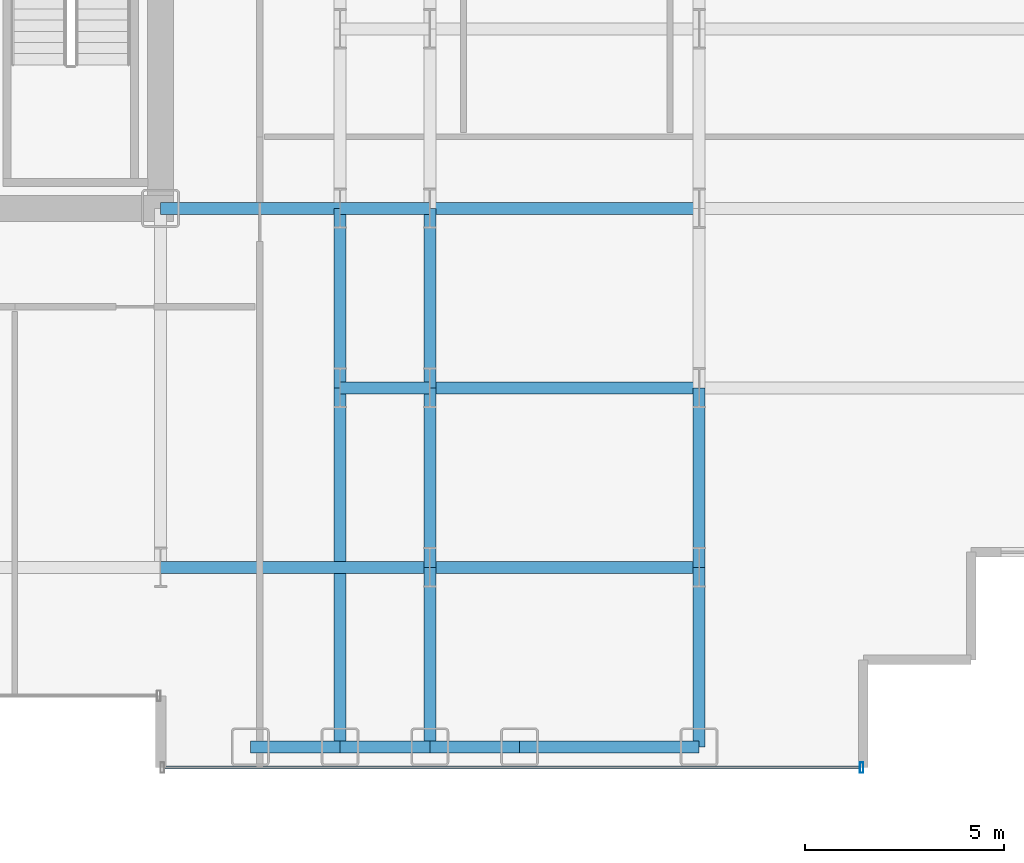
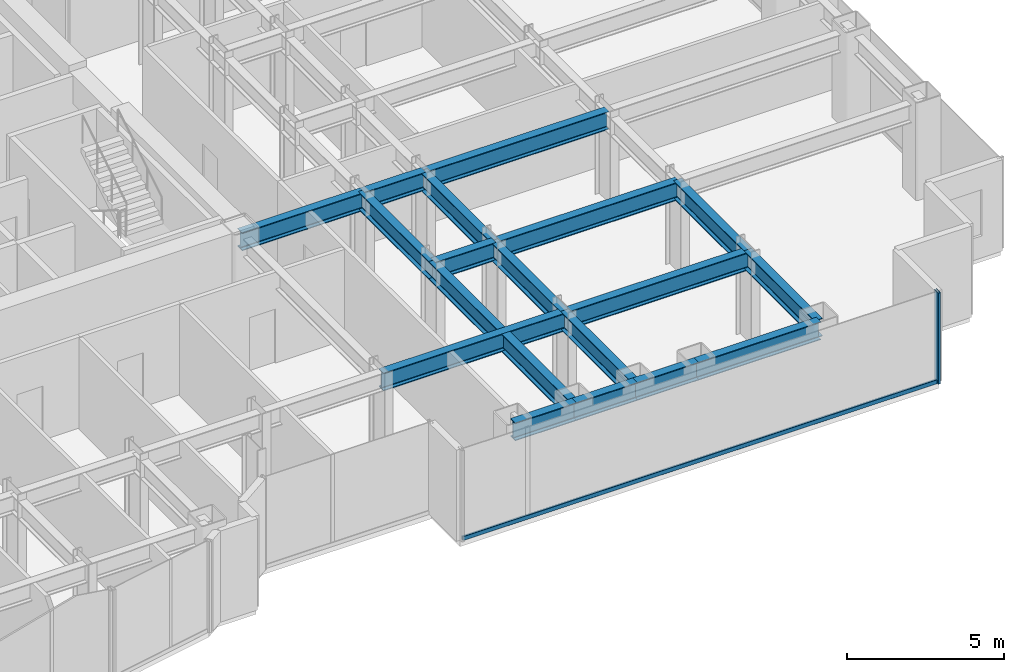
# One storey, part 7 of 27: 18 beams, 2 members, 1 element without a shape of its own.
"""IFC4 building model written with IfcOpenShell, lengths in metres."""

import ifcopenshell
import ifcopenshell.guid

model = None  # the IFC model being written
_history = None  # IfcOwnerHistory: only IFC2X3 demands one
_inside = {}  # id of a spatial element -> (the spatial element, [elements in it])
_under = {}  # id of a project, library or spatial element -> (it, [spatial elements below it])
_declared = {}  # id of a project -> (the project, [libraries it declares])
_typed = {}  # id of a type object -> (the type object, [elements of that type])
_made_of = {}  # id of a material, layer set ... -> (it, [elements and type objects made of it])


def new_model(schema):
    """Start an empty IFC model of exactly this schema.

    Asked for "IFC4X3", IfcOpenShell would pick the latest addendum, in which some entities
    have other attributes; the version numbers below select the first issue.
    IFC2X3 requires an IfcOwnerHistory on every rooted entity: one is made here for all.
    """
    global model, _history
    if schema == "IFC4X3":
        model = ifcopenshell.file(schema_version=(4, 3, 0, 0))
    else:
        model = ifcopenshell.file(schema=schema)
    _inside.clear()
    _under.clear()
    _declared.clear()
    _typed.clear()
    _made_of.clear()
    _history = None
    if model.schema == "IFC2X3":
        org = make("IfcOrganization", Name="unknown")
        user = make(
            "IfcPersonAndOrganization",
            ThePerson=make("IfcPerson", FamilyName="unknown"),
            TheOrganization=org,
        )
        app = make(
            "IfcApplication",
            ApplicationDeveloper=org,
            Version="unknown",
            ApplicationFullName="unknown",
            ApplicationIdentifier="unknown",
        )
        _history = make(
            "IfcOwnerHistory",
            OwningUser=user,
            OwningApplication=app,
            ChangeAction="ADDED",
            CreationDate=0,
        )
    return model


def make(cls, **values):
    """One entity of the class cls with the attributes given. An attribute that is None is left unset."""
    return model.create_entity(
        cls, **{name: value for name, value in values.items() if value is not None}
    )


def rooted(cls, **values):
    """An entity with a GlobalId (a new one), such as an element, a storey or a relation."""
    return make(cls, GlobalId=ifcopenshell.guid.new(), OwnerHistory=_history, **values)


def si_unit(unit_type, name, prefix=None):
    """IfcSIUnit, for example si_unit("LENGTHUNIT", "METRE", prefix="MILLI")."""
    return make("IfcSIUnit", UnitType=unit_type, Prefix=prefix, Name=name)


def assignment(units):
    """IfcUnitAssignment: the units of a project."""
    return None if units is None else make("IfcUnitAssignment", Units=units)


def point(xyz):
    """IfcCartesianPoint."""
    return None if xyz is None else make("IfcCartesianPoint", Coordinates=xyz)


def direction(xyz):
    """IfcDirection."""
    return None if xyz is None else make("IfcDirection", DirectionRatios=xyz)


def frame(location, z_axis=None, x_axis=None):
    """IfcAxis2Placement3D, a coordinate frame: its origin and axes. An axis left out is left unset."""
    return make(
        "IfcAxis2Placement3D",
        Location=point(location),
        Axis=direction(z_axis),
        RefDirection=direction(x_axis),
    )


def frame_2d(location, x_axis=None):
    """IfcAxis2Placement2D, a coordinate frame in the plane: its origin and x axis."""
    return make(
        "IfcAxis2Placement2D", Location=point(location), RefDirection=direction(x_axis)
    )


def origin():
    """The frame at (0, 0, 0) with its axes left unset."""
    return frame((0.0, 0.0, 0.0))


def origin_2d():
    """The frame at (0, 0) in the plane with its x axis left unset."""
    return frame_2d((0.0, 0.0))


def place(relative_to, where):
    """IfcLocalPlacement: puts the frame where relative to a parent placement (None: the world)."""
    return make(
        "IfcLocalPlacement", PlacementRelTo=relative_to, RelativePlacement=where
    )


def context(
    kind, dimensions, precision=None, world=None, true_north=None, identifier=None
):
    """IfcGeometricRepresentationContext, for example the 3D "Model" context."""
    return make(
        "IfcGeometricRepresentationContext",
        ContextIdentifier=identifier,
        ContextType=kind,
        CoordinateSpaceDimension=dimensions,
        Precision=precision,
        WorldCoordinateSystem=world,
        TrueNorth=true_north,
    )


def subcontext(parent, identifier, kind, view, scale=None):
    """IfcGeometricRepresentationSubContext, for example "Body" below "Model"."""
    return make(
        "IfcGeometricRepresentationSubContext",
        ContextIdentifier=identifier,
        ContextType=kind,
        ParentContext=parent,
        TargetScale=scale,
        TargetView=view,
    )


def project(units=None, contexts=None):
    """IfcProject with its units and contexts."""
    return rooted(
        "IfcProject",
        Name="project",
        RepresentationContexts=contexts,
        UnitsInContext=assignment(units),
    )


def spatial(cls, under=None, at=None, **own):
    """A site, building, storey or space (cls), placed at a placement, below another one or the project."""
    s = rooted(cls, ObjectPlacement=at, **own)
    if under is not None:
        _under.setdefault(under.id(), (under, []))[1].append(s)
    return s


def profile(cls, at=None, kind="AREA", **sizes):
    """A parametric profile (cls). Its sizes go by their IFC names, for example OverallWidth=200.0."""
    return make(cls, ProfileType=kind, Position=at, **sizes)


def hollow_rectangle(**sizes):
    """IfcRectangleHollowProfileDef."""
    return profile("IfcRectangleHollowProfileDef", **sizes)


def i_section(**sizes):
    """IfcIShapeProfileDef."""
    return profile("IfcIShapeProfileDef", **sizes)


def extrude(swept, where, along, depth):
    """IfcExtrudedAreaSolid: the profile swept, set in the frame where, extruded along a direction by depth."""
    return make(
        "IfcExtrudedAreaSolid",
        SweptArea=swept,
        Position=where,
        ExtrudedDirection=direction(along),
        Depth=depth,
    )


def shape(context_of_items, identifier, shape_type, items):
    """IfcShapeRepresentation: the items that make up one representation, for example the "Body"."""
    return make(
        "IfcShapeRepresentation",
        ContextOfItems=context_of_items,
        RepresentationIdentifier=identifier,
        RepresentationType=shape_type,
        Items=items,
    )


def source(mapping_origin, context_of_items, identifier, shape_type, items):
    """IfcRepresentationMap: a shape defined once, which mapped items show again and again."""
    return make(
        "IfcRepresentationMap",
        MappingOrigin=mapping_origin,
        MappedRepresentation=shape(context_of_items, identifier, shape_type, items),
    )


def transform(
    local_origin,
    x_axis=None,
    y_axis=None,
    z_axis=None,
    scale=None,
    scale2=None,
    scale3=None,
    uniform=True,
):
    """IfcCartesianTransformationOperator3D, or its non-uniform kind. x_axis, y_axis, z_axis: its Axis1, 2, 3."""
    if uniform:
        return make(
            "IfcCartesianTransformationOperator3D",
            Axis1=direction(x_axis),
            Axis2=direction(y_axis),
            LocalOrigin=point(local_origin),
            Scale=scale,
            Axis3=direction(z_axis),
        )
    return make(
        "IfcCartesianTransformationOperator3DnonUniform",
        Axis1=direction(x_axis),
        Axis2=direction(y_axis),
        LocalOrigin=point(local_origin),
        Scale=scale,
        Axis3=direction(z_axis),
        Scale2=scale2,
        Scale3=scale3,
    )


def mapped(mapping_source, mapping_target):
    """IfcMappedItem: shows the shape of a source again, moved by a transform."""
    return make(
        "IfcMappedItem", MappingSource=mapping_source, MappingTarget=mapping_target
    )


def material(Name=None, Category=None):
    """IfcMaterial."""
    return make("IfcMaterial", Name=Name, Category=Category)


def layer(
    of_material, thickness, ventilated=None, Name=None, Category=None, Priority=None
):
    """IfcMaterialLayer: one layer of a wall or slab, of a material (None: an air gap)."""
    return make(
        "IfcMaterialLayer",
        Material=of_material,
        LayerThickness=thickness,
        IsVentilated=ventilated,
        Name=Name,
        Category=Category,
        Priority=Priority,
    )


def layer_set(layers, Name=None):
    """IfcMaterialLayerSet."""
    return make("IfcMaterialLayerSet", MaterialLayers=layers, LayerSetName=Name)


def material_profile(
    of_material, cross_section, Name=None, Category=None, Priority=None
):
    """IfcMaterialProfile: a cross section and its material."""
    return make(
        "IfcMaterialProfile",
        Name=Name,
        Material=of_material,
        Profile=cross_section,
        Priority=Priority,
        Category=Category,
    )


def profile_set(profiles, Name=None, composite=None):
    """IfcMaterialProfileSet."""
    return make(
        "IfcMaterialProfileSet",
        Name=Name,
        MaterialProfiles=profiles,
        CompositeProfile=composite,
    )


def made_of(thing, what):
    """Note that an element or type object is made of a material, layer set ...; save() writes the relation."""
    if what is not None:
        _made_of.setdefault(what.id(), (what, []))[1].append(thing)
    return thing


def type_object(cls, material=None, **own):
    """A type object (cls), such as IfcWallType, which elements share."""
    return made_of(rooted(cls, **own), material)


def element(
    cls,
    number,
    at=None,
    inside=None,
    cuts=None,
    type_object=None,
    material=None,
    context=None,
    identifier="Body",
    shape_type=None,
    held_by="IfcProductDefinitionShape",
    body=None,
    shapes=None,
    **own,
):
    """One element of the class cls, such as IfcWall. Its Tag is "e" and its number.

    at: its placement. inside: the storey or other place that contains it. cuts: it is an
    opening in that element (IfcRelVoidsElement). A single representation is given by context,
    identifier, shape_type and body (its items); several are given by shapes. held_by: the class
    of the entity that holds the representations. save() writes the other relations.
    """
    e = rooted(cls, Tag="e%d" % number, ObjectPlacement=at, **own)
    if body is not None:
        shapes = [shape(context, identifier, shape_type, body)]
    if shapes is not None:
        e.Representation = make(held_by, Representations=shapes)
    if inside is not None:
        _inside.setdefault(inside.id(), (inside, []))[1].append(e)
    if cuts is not None:
        rooted(
            "IfcRelVoidsElement", RelatingBuildingElement=cuts, RelatedOpeningElement=e
        )
    if type_object is not None:
        _typed.setdefault(type_object.id(), (type_object, []))[1].append(e)
    return made_of(e, material)


def aggregate(whole, parts):
    """IfcRelAggregates: a whole, such as a stair, and the parts it consists of."""
    return rooted("IfcRelAggregates", RelatingObject=whole, RelatedObjects=parts)


def save(model, path):
    """Write the relations noted so far, then the file.

    IfcRelAggregates (storeys below a building ...), IfcRelContainedInSpatialStructure (elements
    in a storey), IfcRelDefinesByType, IfcRelAssociatesMaterial and IfcRelDeclares: one each for
    every whole, place, type object, material and project.
    """
    for whole, parts in _under.values():
        aggregate(whole, parts)
    for where, things in _inside.values():
        rooted(
            "IfcRelContainedInSpatialStructure",
            RelatedElements=things,
            RelatingStructure=where,
        )
    for kind, things in _typed.values():
        rooted("IfcRelDefinesByType", RelatedObjects=things, RelatingType=kind)
    for what, things in _made_of.values():
        rooted("IfcRelAssociatesMaterial", RelatedObjects=things, RelatingMaterial=what)
    for by, libraries in _declared.values():
        rooted("IfcRelDeclares", RelatingContext=by, RelatedDefinitions=libraries)
    model.write(path)


model = new_model("IFC4")

# Units and contexts
model_context = context("Model", 3, precision=1e-05, world=origin(), true_north=direction((0.0, 1.0)))
body_context = subcontext(model_context, "Body", "Model", "MODEL_VIEW")
ifc_project = project(units=[si_unit("LENGTHUNIT", "METRE"), si_unit("AREAUNIT", "SQUARE_METRE"), si_unit("VOLUMEUNIT", "CUBIC_METRE"), si_unit("PLANEANGLEUNIT", "RADIAN"), si_unit("MASSUNIT", "GRAM", prefix="KILO")], contexts=[model_context])

# Site, building, storey
site_placement = place(None, origin())
site = spatial("IfcSite", under=ifc_project, at=site_placement, CompositionType="ELEMENT")
building_placement = place(site_placement, origin())
building = spatial("IfcBuilding", under=site, at=building_placement, Name="Nefas-Gora Pilgrimage Tower", CompositionType="ELEMENT")
storey_placement = place(building_placement, frame((0.0, 0.0, 48.199951171875)))
storey = spatial("IfcBuildingStorey", under=building, at=storey_placement, Name="L10", CompositionType="ELEMENT", Elevation=48.199951171875)

# Beams
ifc_material_1 = material(Name="Steel S355", Category="steel")
ifc_material_profile_1 = material_profile(ifc_material_1, i_section(OverallWidth=0.300048828125, OverallDepth=0.699951171875, WebThickness=0.01708984375, FlangeThickness=0.031982421875, FilletRadius=0.027099609375, at=origin_2d()), Name="HEB 700")
ifc_profile_set_1 = profile_set([ifc_material_profile_1], Name="Steel S355")
beam_type_1 = type_object("IfcBeamType", Name="BM-SPN-HEB600", PredefinedType="SPANDREL", material=ifc_profile_set_1)
shared_shape_1 = source(origin(), body_context, "Body", "SweptSolid", [
    extrude(i_section(OverallWidth=0.300048828125, OverallDepth=0.699951171875, WebThickness=0.01708984375, FlangeThickness=0.031982421875, FilletRadius=0.027099609375, at=origin_2d()), origin(), (0.0, 0.0, 1.0), 4.5),
])
beam_1_placement = place(storey_placement, frame((20.25, -22.5, 3.199951171875), z_axis=(1.0, 0.0, 0.0), x_axis=(0.0, 1.0, 0.0)))
element("IfcBeam", 1, at=beam_1_placement, inside=storey, type_object=beam_type_1, Name="L10 SP-01 beam", PredefinedType="SPANDREL", context=body_context, shape_type="MappedRepresentation", body=[
    mapped(shared_shape_1, transform((0.0, 0.0, 0.0), x_axis=(1.0, 0.0, 0.0), y_axis=(0.0, 1.0, 0.0), z_axis=(0.0, 0.0, 1.0), scale=1.0)),
])
ifc_material_profile_2 = material_profile(ifc_material_1, i_section(OverallWidth=0.300048828125, OverallDepth=0.699951171875, WebThickness=0.01708984375, FlangeThickness=0.031982421875, FilletRadius=0.027099609375, at=origin_2d()), Name="HEB 700")
ifc_profile_set_2 = profile_set([ifc_material_profile_2], Name="Steel S355")
beam_type_2 = type_object("IfcBeamType", Name="BM-GIR-HEB700", PredefinedType="BEAM", material=ifc_profile_set_2)
shared_shape_2 = source(origin(), body_context, "Body", "SweptSolid", [
    extrude(i_section(OverallWidth=0.300048828125, OverallDepth=0.699951171875, WebThickness=0.01708984375, FlangeThickness=0.031982421875, FilletRadius=0.027099609375, at=origin_2d()), origin(), (0.0, 0.0, 1.0), 9.0),
])
beam_2_placement = place(storey_placement, frame((15.75, -22.5, 3.199951171875), z_axis=(0.0, 1.0, 0.0), x_axis=(-1.0, 0.0, 0.0)))
element("IfcBeam", 2, at=beam_2_placement, inside=storey, type_object=beam_type_2, Name="L10 G-02 beam", PredefinedType="BEAM", context=body_context, shape_type="MappedRepresentation", body=[
    mapped(shared_shape_2, transform((0.0, 0.0, 0.0), x_axis=(1.0, 0.0, 0.0), y_axis=(0.0, 1.0, 0.0), z_axis=(0.0, 0.0, 1.0), scale=1.0)),
])
shared_shape_3 = source(origin(), body_context, "Body", "SweptSolid", [
    extrude(i_section(OverallWidth=0.300048828125, OverallDepth=0.699951171875, WebThickness=0.01708984375, FlangeThickness=0.031982421875, FilletRadius=0.027099609375, at=origin_2d()), origin(), (0.0, 0.0, 1.0), 4.5),
])
for number, where, z_axis, x_axis, name in (
    (3, (11.25, -9.0, 3.199951171875), (1.0, 0.0, 0.0), (0.0, 1.0, 0.0), "L10 G-02 beam"),
    (4, (15.75, -13.5, 3.199951171875), (0.0, 1.0, 0.0), (-1.0, 0.0, 0.0), "L10 G-02 beam"),
    (5, (18.0, -22.5, 3.199951171875), (0.0, 1.0, 0.0), (-1.0, 0.0, 0.0), "L10 G-02 beam"),
    (6, (18.0, -18.0, 3.199951171875), (0.0, 1.0, 0.0), (-1.0, 0.0, 0.0), "L10 G-02 beam"),
    (7, (18.0, -13.5, 3.199951171875), (0.0, 1.0, 0.0), (-1.0, 0.0, 0.0), "L10 G-02 beam"),
    (8, (24.75, -22.5, 3.199951171875), (0.0, 1.0, 0.0), (-1.0, 0.0, 0.0), "L10 G-02 beam"),
    (9, (24.75, -18.0, 3.199951171875), (0.0, 1.0, 0.0), (-1.0, 0.0, 0.0), "L10 G-02 beam"),
):
    element("IfcBeam", number, at=place(storey_placement, frame(where, z_axis=z_axis, x_axis=x_axis)), inside=storey, type_object=beam_type_2, Name=name, PredefinedType="BEAM", context=body_context, shape_type="MappedRepresentation", body=[
        mapped(shared_shape_3, transform((0.0, 0.0, 0.0), x_axis=(1.0, 0.0, 0.0), y_axis=(0.0, 1.0, 0.0), z_axis=(0.0, 0.0, 1.0), scale=1.0)),
    ])
shared_shape_4 = source(origin(), body_context, "Body", "SweptSolid", [
    extrude(i_section(OverallWidth=0.300048828125, OverallDepth=0.699951171875, WebThickness=0.01708984375, FlangeThickness=0.031982421875, FilletRadius=0.027099609375, at=origin_2d()), origin(), (0.0, 0.0, 1.0), 6.75),
])
for number, where, z_axis, x_axis, name in (
    (10, (11.25, -18.0, 3.199951171875), (1.0, 0.0, 0.0), (0.0, 1.0, 0.0), "L10 G-02 beam"),
    (11, (18.0, -18.0, 3.199951171875), (1.0, 0.0, 0.0), (0.0, 1.0, 0.0), "L10 G-02 beam"),
    (12, (18.0, -13.5, 3.199951171875), (1.0, 0.0, 0.0), (0.0, 1.0, 0.0), "L10 G-02 beam"),
    (13, (18.0, -9.0, 3.199951171875), (1.0, 0.0, 0.0), (0.0, 1.0, 0.0), "L10 G-02 beam"),
):
    element("IfcBeam", number, at=place(storey_placement, frame(where, z_axis=z_axis, x_axis=x_axis)), inside=storey, type_object=beam_type_2, Name=name, PredefinedType="BEAM", context=body_context, shape_type="MappedRepresentation", body=[
        mapped(shared_shape_4, transform((0.0, 0.0, 0.0), x_axis=(1.0, 0.0, 0.0), y_axis=(0.0, 1.0, 0.0), z_axis=(0.0, 0.0, 1.0), scale=1.0)),
    ])
shared_shape_5 = source(origin(), body_context, "Body", "SweptSolid", [
    extrude(i_section(OverallWidth=0.300048828125, OverallDepth=0.699951171875, WebThickness=0.01708984375, FlangeThickness=0.031982421875, FilletRadius=0.027099609375, at=origin_2d()), origin(), (0.0, 0.0, 1.0), 2.25),
])
for number, where, z_axis, x_axis, name in (
    (14, (13.5, -22.5, 3.199951171875), (1.0, 0.0, 0.0), (0.0, 1.0, 0.0), "L10 SP-01 beam"),
    (15, (15.75, -22.5, 3.199951171875), (1.0, 0.0, 0.0), (0.0, 1.0, 0.0), "L10 SP-01 beam"),
    (16, (18.0, -22.5, 3.199951171875), (1.0, 0.0, 0.0), (0.0, 1.0, 0.0), "L10 SP-01 beam"),
):
    element("IfcBeam", number, at=place(storey_placement, frame(where, z_axis=z_axis, x_axis=x_axis)), inside=storey, type_object=beam_type_1, Name=name, PredefinedType="SPANDREL", context=body_context, shape_type="MappedRepresentation", body=[
        mapped(shared_shape_5, transform((0.0, 0.0, 0.0), x_axis=(1.0, 0.0, 0.0), y_axis=(0.0, 1.0, 0.0), z_axis=(0.0, 0.0, 1.0), scale=1.0)),
    ])
shared_shape_6 = source(origin(), body_context, "Body", "SweptSolid", [
    extrude(i_section(OverallWidth=0.300048828125, OverallDepth=0.699951171875, WebThickness=0.01708984375, FlangeThickness=0.031982421875, FilletRadius=0.027099609375, at=origin_2d()), origin(), (0.0, 0.0, 1.0), 2.25),
])
for number, where, z_axis, x_axis, name in (
    (17, (15.75, -13.5, 3.199951171875), (1.0, 0.0, 0.0), (0.0, 1.0, 0.0), "L10 G-02 beam"),
    (18, (15.75, -9.0, 3.199951171875), (1.0, 0.0, 0.0), (0.0, 1.0, 0.0), "L10 G-02 beam"),
):
    element("IfcBeam", number, at=place(storey_placement, frame(where, z_axis=z_axis, x_axis=x_axis)), inside=storey, type_object=beam_type_2, Name=name, PredefinedType="BEAM", context=body_context, shape_type="MappedRepresentation", body=[
        mapped(shared_shape_6, transform((0.0, 0.0, 0.0), x_axis=(1.0, 0.0, 0.0), y_axis=(0.0, 1.0, 0.0), z_axis=(0.0, 0.0, 1.0), scale=1.0)),
    ])

# Curtain wall, members
ifc_material_2 = material(Name="Dark ceramic-fritted solar-control aluminium-glass curtain wall", Category="aluminium")
ifc_layer = layer(ifc_material_2, 0.219970703125)
ifc_layer_set = layer_set([ifc_layer], Name="Dark ceramic-fritted solar-control aluminium-glass curtain wall")
curtain_wall_type = type_object("IfcCurtainWallType", Name="CW-SYS-2", PredefinedType="NOTDEFINED", material=ifc_layer_set)
curtain_wall_placement = place(storey_placement, origin())
curtain_wall = element("IfcCurtainWall", 19, at=curtain_wall_placement, inside=storey, type_object=curtain_wall_type, Name="L10 Unitised Curtain Wall CW2", PredefinedType="NOTDEFINED")
ifc_material_3 = material(Name="Anodised architectural aluminium", Category="aluminium")
ifc_material_profile_3 = material_profile(ifc_material_3, hollow_rectangle(XDim=0.090087890625, YDim=0.260009765625, WallThickness=0.006103515625, InnerFilletRadius=0.006103515625, OuterFilletRadius=0.011962890625, at=origin_2d()), Name="ALU MULLION 90x260")
ifc_profile_set_3 = profile_set([ifc_material_profile_3], Name="Anodised architectural aluminium")
member_type_1 = type_object("IfcMemberType", Name="CWM-MUL-2", PredefinedType="MULLION", material=ifc_profile_set_3)
shared_shape_7 = source(origin(), body_context, "Body", "SweptSolid", [
    extrude(hollow_rectangle(XDim=0.090087890625, YDim=0.260009765625, WallThickness=0.006103515625, InnerFilletRadius=0.006103515625, OuterFilletRadius=0.011962890625, at=origin_2d()), origin(), (0.0, 0.0, 1.0), 3.550048828125),
])
member_1_placement = place(storey_placement, frame((28.824951171875, -23.02001953125, 0.0), z_axis=(0.0, 0.0, 1.0), x_axis=(1.0, 0.0, 0.0)))
member_1 = element("IfcMember", 20, at=member_1_placement, type_object=member_type_1, Name="CW2 Mullion 2", PredefinedType="MULLION", context=body_context, shape_type="MappedRepresentation", body=[
    mapped(shared_shape_7, transform((0.0, 0.0, 0.0), x_axis=(1.0, 0.0, 0.0), y_axis=(0.0, 1.0, 0.0), z_axis=(0.0, 0.0, 1.0), scale=1.0)),
])
ifc_material_profile_4 = material_profile(ifc_material_3, hollow_rectangle(XDim=0.080078125, YDim=0.159912109375, WallThickness=0.00439453125, InnerFilletRadius=0.00439453125, OuterFilletRadius=0.009033203125, at=origin_2d()), Name="ALU TRANSOM 80x160")
ifc_profile_set_4 = profile_set([ifc_material_profile_4], Name="Anodised architectural aluminium")
member_type_2 = type_object("IfcMemberType", Name="CWM-TRN-2", PredefinedType="USERDEFINED", material=ifc_profile_set_4)
shared_shape_8 = source(origin(), body_context, "Body", "SweptSolid", [
    extrude(hollow_rectangle(XDim=0.080078125, YDim=0.159912109375, WallThickness=0.00439453125, InnerFilletRadius=0.00439453125, OuterFilletRadius=0.009033203125, at=origin_2d()), origin(), (0.0, 0.0, 1.0), 17.43994140625),
])
member_2_placement = place(storey_placement, frame((11.340087890625, -23.02001953125, 0.050048828125), z_axis=(1.0, 0.0, 0.0), x_axis=(0.0, 1.0, 0.0)))
member_2 = element("IfcMember", 21, at=member_2_placement, type_object=member_type_2, Name="CW2 Spandrel Transom", ObjectType="TRANSOM", PredefinedType="USERDEFINED", context=body_context, shape_type="MappedRepresentation", body=[
    mapped(shared_shape_8, transform((0.0, 0.0, 0.0), x_axis=(1.0, 0.0, 0.0), y_axis=(0.0, 1.0, 0.0), z_axis=(0.0, 0.0, 1.0), scale=1.0)),
])
aggregate(curtain_wall, [member_1, member_2])

save(model, "model.ifc")
